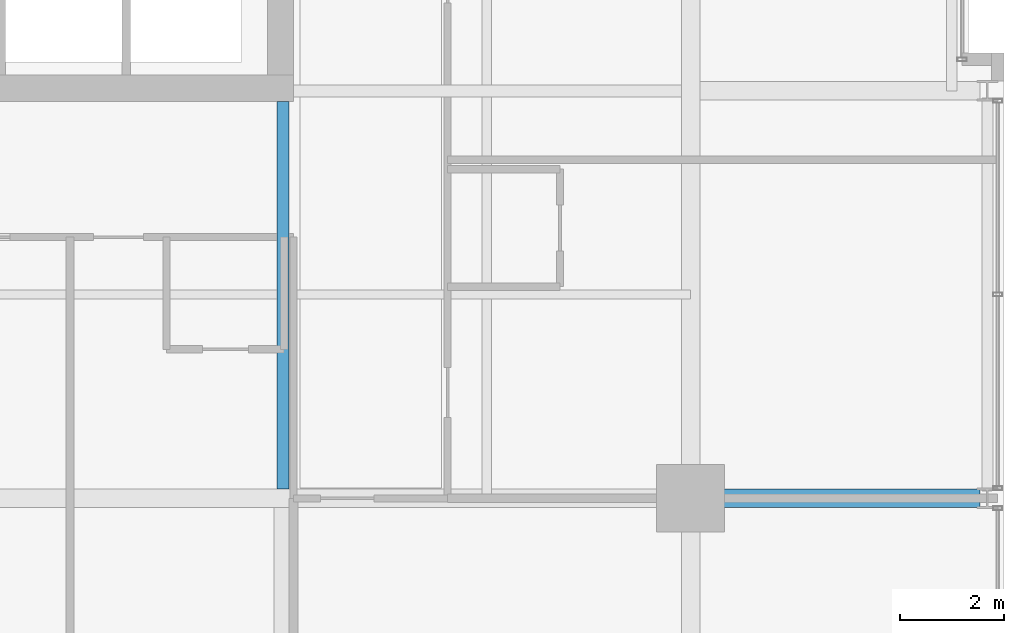
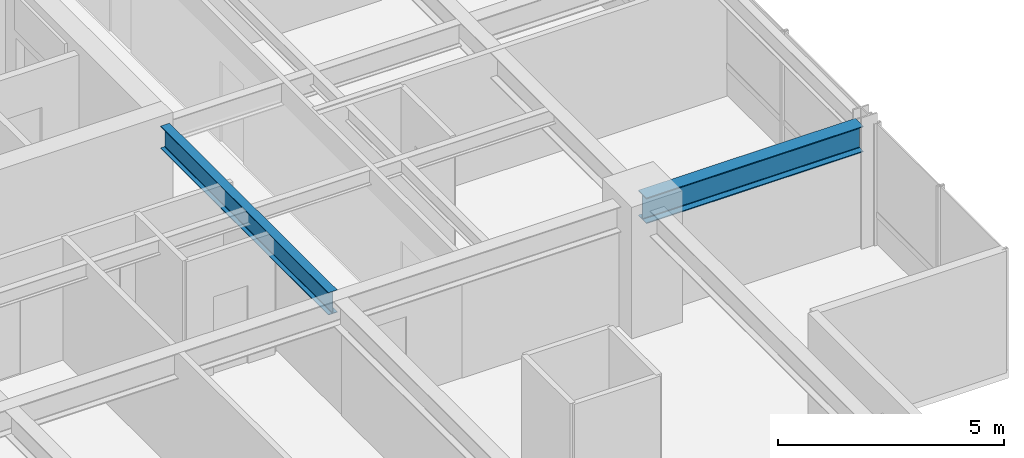
# One storey, part 12 of 32: 2 beams.
"""IFC4 building model written with IfcOpenShell, lengths in metres."""

from ifc_helpers import new_model, si_unit, direction, frame, origin, origin_2d, place, context, subcontext, project, spatial, i_section, extrude, material, material_profile, profile_set, type_object, element, save


model = new_model("IFC4")

# Units and contexts
model_context = context("Model", 3, precision=1e-05, world=origin(), true_north=direction((0.0, 1.0)))
body_context = subcontext(model_context, "Body", "Model", "MODEL_VIEW")
ifc_project = project(units=[si_unit("LENGTHUNIT", "METRE"), si_unit("AREAUNIT", "SQUARE_METRE"), si_unit("VOLUMEUNIT", "CUBIC_METRE"), si_unit("PLANEANGLEUNIT", "RADIAN"), si_unit("MASSUNIT", "GRAM", prefix="KILO")], contexts=[model_context])

# Site, building, storey
site_placement = place(None, origin())
site = spatial("IfcSite", under=ifc_project, at=site_placement, CompositionType="ELEMENT")
building_placement = place(site_placement, origin())
building = spatial("IfcBuilding", under=site, at=building_placement, Name="Drelvath Grand Hotel", CompositionType="ELEMENT")
storey_placement = place(building_placement, frame((0.0, 0.0, 193.0)))
storey = spatial("IfcBuildingStorey", under=building, at=storey_placement, Name="L50", CompositionType="ELEMENT", Elevation=193.0)

# Beams
ifc_material = material(Name="Steel ASTM A992 Gr 50", Category="steel")
ifc_material_profile_1 = material_profile(ifc_material, i_section(OverallWidth=0.228271484375, OverallDepth=0.607666015625, WebThickness=0.01123046875, FlangeThickness=0.017333984375, FilletRadius=0.02001953125, at=origin_2d()), Name="W24X76")
ifc_profile_set_1 = profile_set([ifc_material_profile_1], Name="Steel ASTM A992 Gr 50")
beam_type_1 = type_object("IfcBeamType", Name="Primary Floor Girder W24X76", PredefinedType="BEAM", material=ifc_profile_set_1)
beam_1_placement = place(storey_placement, frame((8.39990234375, 10.977294921875, 2.986083984375), z_axis=(0.0, 1.0, 0.0), x_axis=(-1.0, 0.0, 0.0)))
element("IfcBeam", 1, at=beam_1_placement, inside=storey, type_object=beam_type_1, Name="L50 South Core Tie 6", PredefinedType="BEAM", context=body_context, shape_type="SweptSolid", body=[
    extrude(i_section(OverallWidth=0.228271484375, OverallDepth=0.607666015625, WebThickness=0.01123046875, FlangeThickness=0.017333984375, FilletRadius=0.02001953125, at=origin_2d()), origin(), (0.0, 0.0, 1.0), 7.422607421875),
])
ifc_material_profile_2 = material_profile(ifc_material, i_section(OverallWidth=0.354736328125, OverallDepth=0.695556640625, WebThickness=0.015380859375, FlangeThickness=0.025146484375, FilletRadius=0.02392578125, at=origin_2d()), Name="W27X146")
ifc_profile_set_2 = profile_set([ifc_material_profile_2], Name="Steel ASTM A992 Gr 50")
beam_type_2 = type_object("IfcBeamType", Name="Primary Floor Girder W27X146", PredefinedType="BEAM", material=ifc_profile_set_2)
beam_2_placement = place(storey_placement, frame((16.199951171875, 10.800048828125, 2.9423828125), z_axis=(1.0, 0.0, 0.0), x_axis=(0.0, 1.0, 0.0)))
element("IfcBeam", 2, at=beam_2_placement, inside=storey, type_object=beam_type_2, Name="L50 East Grid Girder C", PredefinedType="BEAM", context=body_context, shape_type="SweptSolid", body=[
    extrude(i_section(OverallWidth=0.354736328125, OverallDepth=0.695556640625, WebThickness=0.015380859375, FlangeThickness=0.025146484375, FilletRadius=0.02392578125, at=origin_2d()), origin(), (0.0, 0.0, 1.0), 5.5400390625),
])

save(model, "model.ifc")
